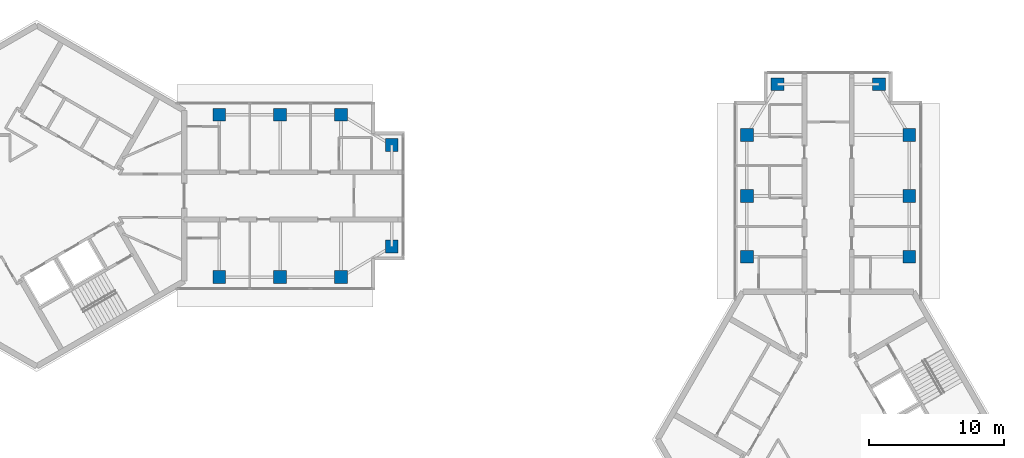
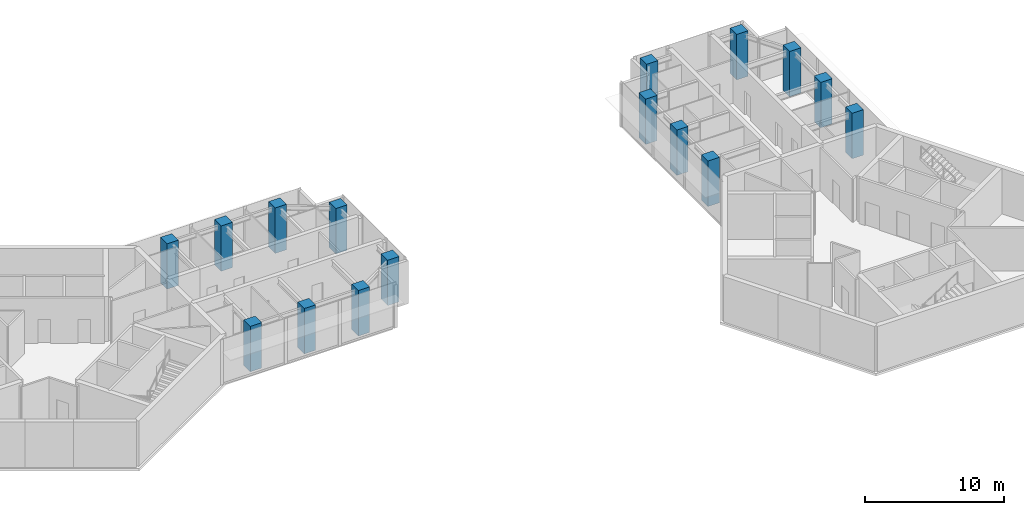
# One storey, part 1 of 11: 16 columns.
"""IFC4 building model written with IfcOpenShell, lengths in metres."""

from ifc_helpers import new_model, si_unit, direction, frame, origin, origin_2d, place, context, subcontext, project, spatial, rectangle, extrude, material, material_profile, profile_set, type_object, element, save


model = new_model("IFC4")

# Units and contexts
model_context = context("Model", 3, precision=1e-05, world=origin(), true_north=direction((0.0, 1.0)))
body_context = subcontext(model_context, "Body", "Model", "MODEL_VIEW")
ifc_project = project(units=[si_unit("LENGTHUNIT", "METRE"), si_unit("AREAUNIT", "SQUARE_METRE"), si_unit("VOLUMEUNIT", "CUBIC_METRE"), si_unit("PLANEANGLEUNIT", "RADIAN"), si_unit("MASSUNIT", "GRAM", prefix="KILO")], contexts=[model_context])

# Site, building, storey
site_placement = place(None, origin())
site = spatial("IfcSite", under=ifc_project, at=site_placement, CompositionType="ELEMENT")
building_placement = place(site_placement, origin())
building = spatial("IfcBuilding", under=site, at=building_placement, Name="Upepo Twin Towers", CompositionType="ELEMENT")
storey_placement = place(building_placement, frame((0.0, 0.0, 271.5)))
storey = spatial("IfcBuildingStorey", under=building, at=storey_placement, Name="L66", CompositionType="ELEMENT", Elevation=271.5)

# Columns
ifc_material = material(Name="Concrete C60/75", Category="concrete")
ifc_material_profile = material_profile(ifc_material, rectangle(XDim=0.949951171875, YDim=0.949951171875, at=origin_2d()), Name="RC 950x950")
ifc_profile_set = profile_set([ifc_material_profile], Name="Concrete C60/75")
column_type = type_object("IfcColumnType", Name="Tower column RC 950x950", PredefinedType="COLUMN", material=ifc_profile_set)
for number, where, z_axis, x_axis, name in (
    (1, (13.5, 6.0, 0.0), (0.0, 0.0, 1.0), (1.0, 0.0, 0.0), "T1 column AL135"),
    (2, (13.5, -6.0, 0.0), (0.0, 0.0, 1.0), (1.0, 0.0, 0.0), "T1 column AR135"),
    (3, (18.0, 6.0, 0.0), (0.0, 0.0, 1.0), (1.0, 0.0, 0.0), "T1 column AL180"),
    (4, (18.0, -6.0, 0.0), (0.0, 0.0, 1.0), (1.0, 0.0, 0.0), "T1 column AR180"),
    (5, (22.5, 6.0, 0.0), (0.0, 0.0, 1.0), (1.0, 0.0, 0.0), "T1 column AL225"),
    (6, (22.5, -6.0, 0.0), (0.0, 0.0, 1.0), (1.0, 0.0, 0.0), "T1 column AR225"),
    (7, (26.25, 3.75, 0.0), (0.0, 0.0, 1.0), (1.0, 0.0, 0.0), "T1 column ALN"),
    (8, (26.25, -3.75, 0.0), (0.0, 0.0, 1.0), (1.0, 0.0, 0.0), "T1 column ARN"),
    (9, (52.5, -4.5, 0.0), (0.0, 0.0, 1.0), (1.0, 0.0, 0.0), "T2 column AL135"),
    (10, (64.5, -4.5, 0.0), (0.0, 0.0, 1.0), (1.0, 0.0, 0.0), "T2 column AR135"),
    (11, (52.5, 0.0, 0.0), (0.0, 0.0, 1.0), (1.0, 0.0, 0.0), "T2 column AL180"),
    (12, (64.5, 0.0, 0.0), (0.0, 0.0, 1.0), (1.0, 0.0, 0.0), "T2 column AR180"),
    (13, (52.5, 4.5, 0.0), (0.0, 0.0, 1.0), (1.0, 0.0, 0.0), "T2 column AL225"),
    (14, (64.5, 4.5, 0.0), (0.0, 0.0, 1.0), (1.0, 0.0, 0.0), "T2 column AR225"),
    (15, (54.75, 8.25, 0.0), (0.0, 0.0, 1.0), (1.0, 0.0, 0.0), "T2 column ALN"),
    (16, (62.25, 8.25, 0.0), (0.0, 0.0, 1.0), (1.0, 0.0, 0.0), "T2 column ARN"),
):
    element("IfcColumn", number, at=place(storey_placement, frame(where, z_axis=z_axis, x_axis=x_axis)), inside=storey, type_object=column_type, Name=name, PredefinedType="COLUMN", context=body_context, shape_type="SweptSolid", body=[
        extrude(rectangle(XDim=0.949951171875, YDim=0.949951171875, at=origin_2d()), origin(), (0.0, 0.0, 1.0), 4.0),
    ])

save(model, "model.ifc")
